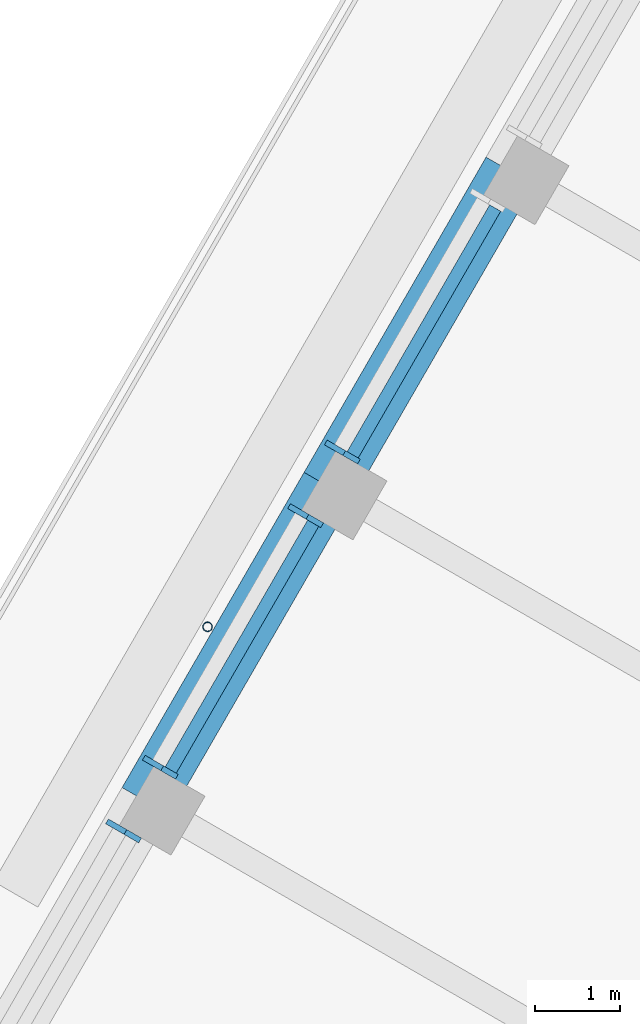
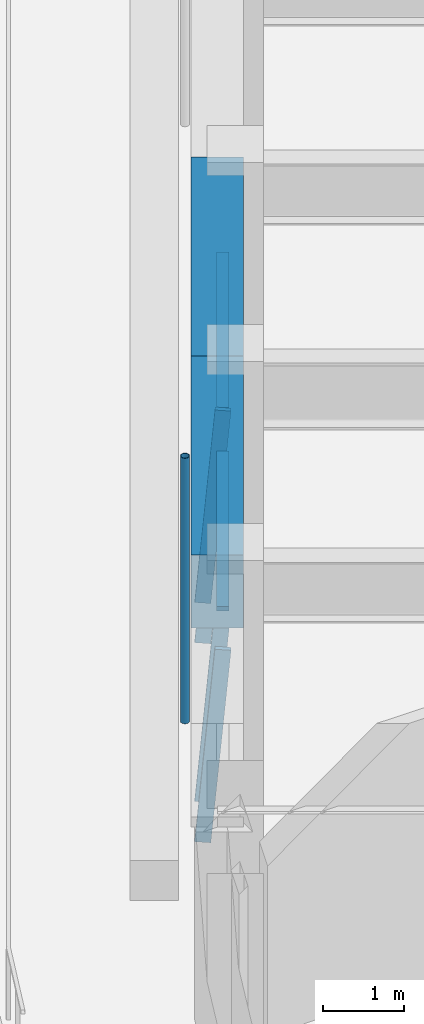
# One storey, part 6 of 19: 7 members, 2 beams, 3 elements without a shape of their own.
"""IFC4 building model written with IfcOpenShell, lengths in metres."""

import ifcopenshell
import ifcopenshell.guid

model = None  # the IFC model being written
_history = None  # IfcOwnerHistory: only IFC2X3 demands one
_inside = {}  # id of a spatial element -> (the spatial element, [elements in it])
_under = {}  # id of a project, library or spatial element -> (it, [spatial elements below it])
_declared = {}  # id of a project -> (the project, [libraries it declares])
_typed = {}  # id of a type object -> (the type object, [elements of that type])
_made_of = {}  # id of a material, layer set ... -> (it, [elements and type objects made of it])


def new_model(schema):
    """Start an empty IFC model of exactly this schema.

    Asked for "IFC4X3", IfcOpenShell would pick the latest addendum, in which some entities
    have other attributes; the version numbers below select the first issue.
    IFC2X3 requires an IfcOwnerHistory on every rooted entity: one is made here for all.
    """
    global model, _history
    if schema == "IFC4X3":
        model = ifcopenshell.file(schema_version=(4, 3, 0, 0))
    else:
        model = ifcopenshell.file(schema=schema)
    _inside.clear()
    _under.clear()
    _declared.clear()
    _typed.clear()
    _made_of.clear()
    _history = None
    if model.schema == "IFC2X3":
        org = make("IfcOrganization", Name="unknown")
        user = make(
            "IfcPersonAndOrganization",
            ThePerson=make("IfcPerson", FamilyName="unknown"),
            TheOrganization=org,
        )
        app = make(
            "IfcApplication",
            ApplicationDeveloper=org,
            Version="unknown",
            ApplicationFullName="unknown",
            ApplicationIdentifier="unknown",
        )
        _history = make(
            "IfcOwnerHistory",
            OwningUser=user,
            OwningApplication=app,
            ChangeAction="ADDED",
            CreationDate=0,
        )
    return model


def make(cls, **values):
    """One entity of the class cls with the attributes given. An attribute that is None is left unset."""
    return model.create_entity(
        cls, **{name: value for name, value in values.items() if value is not None}
    )


def rooted(cls, **values):
    """An entity with a GlobalId (a new one), such as an element, a storey or a relation."""
    return make(cls, GlobalId=ifcopenshell.guid.new(), OwnerHistory=_history, **values)


def si_unit(unit_type, name, prefix=None):
    """IfcSIUnit, for example si_unit("LENGTHUNIT", "METRE", prefix="MILLI")."""
    return make("IfcSIUnit", UnitType=unit_type, Prefix=prefix, Name=name)


def assignment(units):
    """IfcUnitAssignment: the units of a project."""
    return None if units is None else make("IfcUnitAssignment", Units=units)


def point(xyz):
    """IfcCartesianPoint."""
    return None if xyz is None else make("IfcCartesianPoint", Coordinates=xyz)


def direction(xyz):
    """IfcDirection."""
    return None if xyz is None else make("IfcDirection", DirectionRatios=xyz)


def frame(location, z_axis=None, x_axis=None):
    """IfcAxis2Placement3D, a coordinate frame: its origin and axes. An axis left out is left unset."""
    return make(
        "IfcAxis2Placement3D",
        Location=point(location),
        Axis=direction(z_axis),
        RefDirection=direction(x_axis),
    )


def frame_2d(location, x_axis=None):
    """IfcAxis2Placement2D, a coordinate frame in the plane: its origin and x axis."""
    return make(
        "IfcAxis2Placement2D", Location=point(location), RefDirection=direction(x_axis)
    )


def origin():
    """The frame at (0, 0, 0) with its axes left unset."""
    return frame((0.0, 0.0, 0.0))


def origin_2d():
    """The frame at (0, 0) in the plane with its x axis left unset."""
    return frame_2d((0.0, 0.0))


def place(relative_to, where):
    """IfcLocalPlacement: puts the frame where relative to a parent placement (None: the world)."""
    return make(
        "IfcLocalPlacement", PlacementRelTo=relative_to, RelativePlacement=where
    )


def context(
    kind, dimensions, precision=None, world=None, true_north=None, identifier=None
):
    """IfcGeometricRepresentationContext, for example the 3D "Model" context."""
    return make(
        "IfcGeometricRepresentationContext",
        ContextIdentifier=identifier,
        ContextType=kind,
        CoordinateSpaceDimension=dimensions,
        Precision=precision,
        WorldCoordinateSystem=world,
        TrueNorth=true_north,
    )


def subcontext(parent, identifier, kind, view, scale=None):
    """IfcGeometricRepresentationSubContext, for example "Body" below "Model"."""
    return make(
        "IfcGeometricRepresentationSubContext",
        ContextIdentifier=identifier,
        ContextType=kind,
        ParentContext=parent,
        TargetScale=scale,
        TargetView=view,
    )


def project(units=None, contexts=None):
    """IfcProject with its units and contexts."""
    return rooted(
        "IfcProject",
        Name="project",
        RepresentationContexts=contexts,
        UnitsInContext=assignment(units),
    )


def spatial(cls, under=None, at=None, **own):
    """A site, building, storey or space (cls), placed at a placement, below another one or the project."""
    s = rooted(cls, ObjectPlacement=at, **own)
    if under is not None:
        _under.setdefault(under.id(), (under, []))[1].append(s)
    return s


def profile(cls, at=None, kind="AREA", **sizes):
    """A parametric profile (cls). Its sizes go by their IFC names, for example OverallWidth=200.0."""
    return make(cls, ProfileType=kind, Position=at, **sizes)


def rectangle(**sizes):
    """IfcRectangleProfileDef."""
    return profile("IfcRectangleProfileDef", **sizes)


def hollow_circle(**sizes):
    """IfcCircleHollowProfileDef."""
    return profile("IfcCircleHollowProfileDef", **sizes)


def extrude(swept, where, along, depth):
    """IfcExtrudedAreaSolid: the profile swept, set in the frame where, extruded along a direction by depth."""
    return make(
        "IfcExtrudedAreaSolid",
        SweptArea=swept,
        Position=where,
        ExtrudedDirection=direction(along),
        Depth=depth,
    )


def shape(context_of_items, identifier, shape_type, items):
    """IfcShapeRepresentation: the items that make up one representation, for example the "Body"."""
    return make(
        "IfcShapeRepresentation",
        ContextOfItems=context_of_items,
        RepresentationIdentifier=identifier,
        RepresentationType=shape_type,
        Items=items,
    )


def material(Name=None, Category=None):
    """IfcMaterial."""
    return make("IfcMaterial", Name=Name, Category=Category)


def material_profile(
    of_material, cross_section, Name=None, Category=None, Priority=None
):
    """IfcMaterialProfile: a cross section and its material."""
    return make(
        "IfcMaterialProfile",
        Name=Name,
        Material=of_material,
        Profile=cross_section,
        Priority=Priority,
        Category=Category,
    )


def profile_set(profiles, Name=None, composite=None):
    """IfcMaterialProfileSet."""
    return make(
        "IfcMaterialProfileSet",
        Name=Name,
        MaterialProfiles=profiles,
        CompositeProfile=composite,
    )


def made_of(thing, what):
    """Note that an element or type object is made of a material, layer set ...; save() writes the relation."""
    if what is not None:
        _made_of.setdefault(what.id(), (what, []))[1].append(thing)
    return thing


def type_object(cls, material=None, **own):
    """A type object (cls), such as IfcWallType, which elements share."""
    return made_of(rooted(cls, **own), material)


def element(
    cls,
    number,
    at=None,
    inside=None,
    cuts=None,
    type_object=None,
    material=None,
    context=None,
    identifier="Body",
    shape_type=None,
    held_by="IfcProductDefinitionShape",
    body=None,
    shapes=None,
    **own,
):
    """One element of the class cls, such as IfcWall. Its Tag is "e" and its number.

    at: its placement. inside: the storey or other place that contains it. cuts: it is an
    opening in that element (IfcRelVoidsElement). A single representation is given by context,
    identifier, shape_type and body (its items); several are given by shapes. held_by: the class
    of the entity that holds the representations. save() writes the other relations.
    """
    e = rooted(cls, Tag="e%d" % number, ObjectPlacement=at, **own)
    if body is not None:
        shapes = [shape(context, identifier, shape_type, body)]
    if shapes is not None:
        e.Representation = make(held_by, Representations=shapes)
    if inside is not None:
        _inside.setdefault(inside.id(), (inside, []))[1].append(e)
    if cuts is not None:
        rooted(
            "IfcRelVoidsElement", RelatingBuildingElement=cuts, RelatedOpeningElement=e
        )
    if type_object is not None:
        _typed.setdefault(type_object.id(), (type_object, []))[1].append(e)
    return made_of(e, material)


def aggregate(whole, parts):
    """IfcRelAggregates: a whole, such as a stair, and the parts it consists of."""
    return rooted("IfcRelAggregates", RelatingObject=whole, RelatedObjects=parts)


def save(model, path):
    """Write the relations noted so far, then the file.

    IfcRelAggregates (storeys below a building ...), IfcRelContainedInSpatialStructure (elements
    in a storey), IfcRelDefinesByType, IfcRelAssociatesMaterial and IfcRelDeclares: one each for
    every whole, place, type object, material and project.
    """
    for whole, parts in _under.values():
        aggregate(whole, parts)
    for where, things in _inside.values():
        rooted(
            "IfcRelContainedInSpatialStructure",
            RelatedElements=things,
            RelatingStructure=where,
        )
    for kind, things in _typed.values():
        rooted("IfcRelDefinesByType", RelatedObjects=things, RelatingType=kind)
    for what, things in _made_of.values():
        rooted("IfcRelAssociatesMaterial", RelatedObjects=things, RelatingMaterial=what)
    for by, libraries in _declared.values():
        rooted("IfcRelDeclares", RelatingContext=by, RelatedDefinitions=libraries)
    model.write(path)


model = new_model("IFC4")

# Units and contexts
model_context = context("Model", 3, precision=1e-05, world=origin(), true_north=direction((0.0, 1.0)))
body_context = subcontext(model_context, "Body", "Model", "MODEL_VIEW")
ifc_project = project(units=[si_unit("LENGTHUNIT", "METRE"), si_unit("AREAUNIT", "SQUARE_METRE"), si_unit("VOLUMEUNIT", "CUBIC_METRE"), si_unit("PLANEANGLEUNIT", "RADIAN"), si_unit("MASSUNIT", "GRAM", prefix="KILO")], contexts=[model_context])

# Site, building, storey
site_placement = place(None, origin())
site = spatial("IfcSite", under=ifc_project, at=site_placement, CompositionType="ELEMENT")
building_placement = place(site_placement, origin())
building = spatial("IfcBuilding", under=site, at=building_placement, Name="Tarfa Lantern Tower", CompositionType="ELEMENT")
storey_placement = place(building_placement, frame((0.0, 0.0, 387.10009765625)))
storey = spatial("IfcBuildingStorey", under=building, at=storey_placement, Name="L88", CompositionType="ELEMENT", Elevation=387.10009765625)

# Curtain wall, member
ifc_material_1 = material(Name="Aluminium framed curtain wall", Category="aluminium")
curtain_wall_type = type_object("IfcCurtainWallType", Name="CW4 CANTED GLAZING EXECUTIVE ZONE 2900", PredefinedType="USERDEFINED", material=ifc_material_1)
curtain_wall_1_placement = place(storey_placement, origin())
curtain_wall_1 = element("IfcCurtainWall", 1, at=curtain_wall_1_placement, inside=storey, type_object=curtain_wall_type, Name="CW4 NW L88", ObjectType="CURTAIN WALL", PredefinedType="USERDEFINED")
ifc_material_2 = material(Name="Aluminium mullion", Category="aluminium")
ifc_material_profile_1 = material_profile(ifc_material_2, rectangle(XDim=0.06494140625, YDim=0.199951171875, at=origin_2d()), Name="AL MULLION 65x200")
ifc_profile_set_1 = profile_set([ifc_material_profile_1], Name="Aluminium mullion")
member_type_1 = type_object("IfcMemberType", Name="CWM1 MULLION 65x200", PredefinedType="MULLION", material=ifc_profile_set_1)
member_1_placement = place(storey_placement, frame((-25.00439453125, 9.9912109375, 0.0), z_axis=(0.074399820079, -0.042945555672, 0.996303340364), x_axis=(0.499919672301, 0.866071776036, 0.0)))
member_1 = element("IfcMember", 2, at=member_1_placement, type_object=member_type_1, Name="CW4 mullion 2", PredefinedType="MULLION", context=body_context, shape_type="SweptSolid", body=[
    extrude(rectangle(XDim=0.06494140625, YDim=0.199951171875, at=origin_2d()), origin(), (0.0, 0.0, 1.0), 2.91064453125),
])

# Curtain wall, members
curtain_wall_2_placement = place(storey_placement, origin())
curtain_wall_2 = element("IfcCurtainWall", 3, at=curtain_wall_2_placement, inside=storey, type_object=curtain_wall_type, Name="CW4 NW L88", ObjectType="CURTAIN WALL", PredefinedType="USERDEFINED")
member_2_placement = place(storey_placement, frame((-25.436767578125, 9.2421875, 0.0), z_axis=(0.074399820079, -0.042945555672, 0.996303340364), x_axis=(0.499919672301, 0.866071776036, 0.0)))
member_2 = element("IfcMember", 4, at=member_2_placement, type_object=member_type_1, Name="CW4 mullion 1", PredefinedType="MULLION", context=body_context, shape_type="SweptSolid", body=[
    extrude(rectangle(XDim=0.06494140625, YDim=0.199951171875, at=origin_2d()), origin(), (0.0, 0.0, 1.0), 2.91064453125),
])
member_3_placement = place(storey_placement, frame((-27.145263671875, 6.282958984375, 0.0), z_axis=(0.074316405553, -0.042945823525, 0.996309554359), x_axis=(0.500342721131, 0.865827443207, 0.0)))
member_3 = element("IfcMember", 5, at=member_3_placement, type_object=member_type_1, Name="CW4 mullion 2", PredefinedType="MULLION", context=body_context, shape_type="SweptSolid", body=[
    extrude(rectangle(XDim=0.06494140625, YDim=0.199951171875, at=origin_2d()), origin(), (0.0, 0.0, 1.0), 2.91064453125),
])

# Curtain wall, member
curtain_wall_3_placement = place(storey_placement, origin())
curtain_wall_3 = element("IfcCurtainWall", 6, at=curtain_wall_3_placement, inside=storey, type_object=curtain_wall_type, Name="CW4 NW L88", ObjectType="CURTAIN WALL", PredefinedType="USERDEFINED")
member_4_placement = place(storey_placement, frame((-27.577880859375, 5.53369140625, 0.0), z_axis=(0.074399820079, -0.042945555672, 0.996303340364), x_axis=(0.499919672301, 0.866071776036, 0.0)))
member_4 = element("IfcMember", 7, at=member_4_placement, type_object=member_type_1, Name="CW4 mullion 1", PredefinedType="MULLION", context=body_context, shape_type="SweptSolid", body=[
    extrude(rectangle(XDim=0.06494140625, YDim=0.199951171875, at=origin_2d()), origin(), (0.0, 0.0, 1.0), 2.91064453125),
])
aggregate(curtain_wall_3, [member_4])

# Member
ifc_material_3 = material(Name="Aluminium transom", Category="aluminium")
ifc_material_profile_2 = material_profile(ifc_material_3, rectangle(XDim=0.14990234375, YDim=0.06494140625, at=origin_2d()), Name="AL TRANSOM 150x65")
ifc_profile_set_2 = profile_set([ifc_material_profile_2], Name="Aluminium transom")
member_type_2 = type_object("IfcMemberType", Name="CWT1 TRANSOM 150x65", PredefinedType="USERDEFINED", material=ifc_profile_set_2)
member_5_placement = place(storey_placement, frame((-23.097900390625, 12.798583984375, 2.867431640625), z_axis=(-0.500016677412, -0.866015774862, 0.0), x_axis=(0.866015774862, -0.500016677412, 0.0)))
member_5 = element("IfcMember", 8, at=member_5_placement, type_object=member_type_2, Name="CW4 transom 1.2", ObjectType="TRANSOM", PredefinedType="USERDEFINED", context=body_context, shape_type="SweptSolid", body=[
    extrude(rectangle(XDim=0.14990234375, YDim=0.06494140625, at=origin_2d()), origin(), (0.0, 0.0, 1.0), 3.35205078125),
])

aggregate(curtain_wall_1, [member_1, member_5])

member_6_placement = place(storey_placement, frame((-25.239013671875, 9.09033203125, 2.867431640625), z_axis=(-0.500016677412, -0.866015774862, 0.0), x_axis=(0.866015774862, -0.500016677412, 0.0)))
member_6 = element("IfcMember", 9, at=member_6_placement, type_object=member_type_2, Name="CW4 transom 1.2", ObjectType="TRANSOM", PredefinedType="USERDEFINED", context=body_context, shape_type="SweptSolid", body=[
    extrude(rectangle(XDim=0.14990234375, YDim=0.06494140625, at=origin_2d()), origin(), (0.0, 0.0, 1.0), 3.35205078125),
])

aggregate(curtain_wall_2, [member_2, member_3, member_6])

# Beams
ifc_material_4 = material(Name="Concrete C80/95", Category="concrete")
ifc_material_profile_3 = material_profile(ifc_material_4, rectangle(XDim=0.64990234375, YDim=1.10009765625, at=origin_2d()), Name="RC 650x1100")
ifc_profile_set_3 = profile_set([ifc_material_profile_3], Name="Concrete C80/95")
beam_type = type_object("IfcBeamType", Name="EB4 RC 650x1100", PredefinedType="SPANDREL", material=ifc_profile_set_3)
beam_1_placement = place(storey_placement, frame((-22.923583984375, 13.235107421875, 3.449951171875), z_axis=(-0.500002112793, -0.866024183959, 0.0), x_axis=(0.866024183959, -0.500002112793, 0.0)))
element("IfcBeam", 10, at=beam_1_placement, inside=storey, type_object=beam_type, Name="Edge beam NW3", PredefinedType="SPANDREL", context=body_context, shape_type="SweptSolid", body=[
    extrude(rectangle(XDim=0.64990234375, YDim=1.10009765625, at=origin_2d()), origin(), (0.0, 0.0, 1.0), 4.2822265625),
])
beam_2_placement = place(storey_placement, frame((-25.064697265625, 9.526611328125, 3.449951171875), z_axis=(-0.500026801138, -0.866009929587, 0.0), x_axis=(0.866009929587, -0.500026801138, 0.0)))
element("IfcBeam", 11, at=beam_2_placement, inside=storey, type_object=beam_type, Name="Edge beam NW4", PredefinedType="SPANDREL", context=body_context, shape_type="SweptSolid", body=[
    extrude(rectangle(XDim=0.64990234375, YDim=1.10009765625, at=origin_2d()), origin(), (0.0, 0.0, 1.0), 4.281982421875),
])

# Member
ifc_material_5 = material(Name="Steel S355", Category="steel")
ifc_material_profile_4 = material_profile(ifc_material_5, hollow_circle(Radius=0.05712890625, WallThickness=0.00634765625, at=origin_2d()), Name="CHS114.3x6.3")
ifc_profile_set_4 = profile_set([ifc_material_profile_4], Name="Steel S355")
member_type_3 = type_object("IfcMemberType", Name="TR1 GREEN WALL TRELLIS CHS114.3x6.3", PredefinedType="USERDEFINED", material=ifc_profile_set_4)
member_7_placement = place(storey_placement, frame((-26.481689453125, 7.87255859375, 0.0), z_axis=(0.0, 0.0, 1.0), x_axis=(1.0, 0.0, 0.0)))
element("IfcMember", 12, at=member_7_placement, inside=storey, type_object=member_type_3, Name="Trellis post NW 2", ObjectType="TRELLIS", PredefinedType="USERDEFINED", context=body_context, shape_type="SweptSolid", body=[
    extrude(hollow_circle(Radius=0.05712890625, WallThickness=0.00634765625, at=origin_2d()), origin(), (0.0, 0.0, 1.0), 4.0),
])

save(model, "model.ifc")
